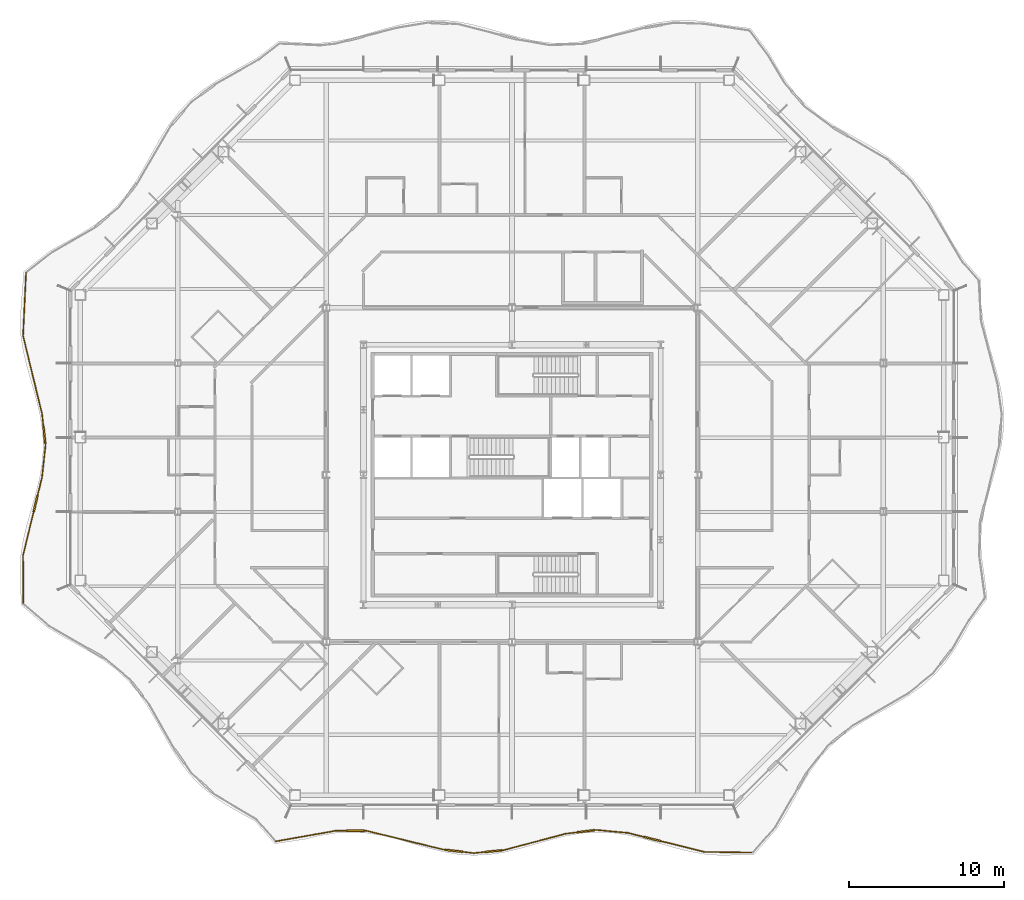
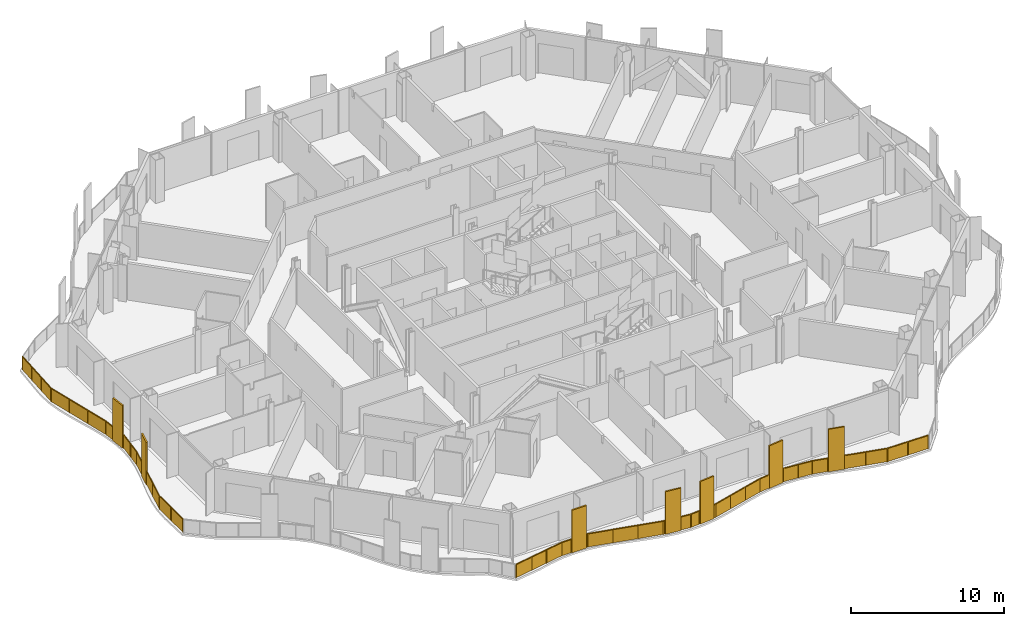
# One storey, part 16 of 22: 2 railings.
"""IFC4 building model written with IfcOpenShell, lengths in metres."""

from ifc_helpers import new_model, si_unit, direction, frame, origin, origin_2d, place, context, subcontext, project, spatial, polyline, rectangle, outline, extrude, material, type_object, element, save


model = new_model("IFC4")

# Units and contexts
model_context = context("Model", 3, precision=1e-05, world=origin(), true_north=direction((0.0, 1.0)))
body_context = subcontext(model_context, "Body", "Model", "MODEL_VIEW")
ifc_project = project(units=[si_unit("LENGTHUNIT", "METRE"), si_unit("AREAUNIT", "SQUARE_METRE"), si_unit("VOLUMEUNIT", "CUBIC_METRE"), si_unit("PLANEANGLEUNIT", "RADIAN"), si_unit("MASSUNIT", "GRAM", prefix="KILO")], contexts=[model_context])

# Site, building, storey
site_placement = place(None, origin())
site = spatial("IfcSite", under=ifc_project, at=site_placement, CompositionType="ELEMENT")
building_placement = place(site_placement, origin())
building = spatial("IfcBuilding", under=site, at=building_placement, Name="Cairn Pilgrim Tower", CompositionType="ELEMENT")
storey_placement = place(building_placement, frame((0.0, 0.0, 147.0)))
storey = spatial("IfcBuildingStorey", under=building, at=storey_placement, Name="L36", CompositionType="ELEMENT", Elevation=147.0)

# Railings
ifc_material = material(Name="Bronze anodised aluminium rail, posts and fin screens with laminated glass infill", Category="aluminium")
railing_type = type_object("IfcRailingType", Name="BALCONY GUARD WITH FIN SCREENS", PredefinedType="GUARDRAIL", material=ifc_material)
railing_1_placement = place(storey_placement, frame((-8.07470703125, -21.28759765625, 0.0)))
element("IfcRailing", 1, at=railing_1_placement, inside=storey, type_object=railing_type, Name="Balcony guard BGF-1 with fin screens", PredefinedType="GUARDRAIL", context=body_context, shape_type="SweptSolid", body=[
    extrude(rectangle(XDim=0.050048828125, YDim=0.050048828125, at=origin_2d()), frame((0.0, 0.0, 1.0751953125), z_axis=(0.984762755077, 0.173903180574, 0.0), x_axis=(-0.173903180574, 0.984762755077, 0.0)), (0.0, 0.0, 1.0), 3.89990234375),
    extrude(rectangle(XDim=1.10009765625, YDim=0.110107421875, at=origin_2d()), frame((5.158203125, 0.68212890625, 0.0), z_axis=(0.0, 0.0, 1.0), x_axis=(0.999995424206, 0.003025155567, 0.0)), (0.0, 0.0, 1.0), 3.39990234375),
    extrude(rectangle(XDim=0.050048828125, YDim=0.050048828125, at=origin_2d()), frame((3.840576171875, 0.67822265625, 1.0751953125), z_axis=(0.999995424206, 0.003025155567, 0.0), x_axis=(-0.003025155567, 0.999995424206, 0.0)), (0.0, 0.0, 1.0), 0.767578125),
    extrude(rectangle(XDim=0.050048828125, YDim=0.050048828125, at=origin_2d()), frame((5.708251953125, 0.683837890625, 1.0751953125), z_axis=(0.999995424206, 0.003025155567, 0.0), x_axis=(-0.003025155567, 0.999995424206, 0.0)), (0.0, 0.0, 1.0), 0.14990234375),
    extrude(rectangle(XDim=0.050048828125, YDim=0.050048828125, at=origin_2d()), frame((5.858154296875, 0.684326171875, 1.0751953125), z_axis=(0.971460072807, -0.237203134342, 0.0), x_axis=(0.237203134342, 0.971460072807, 0.0)), (0.0, 0.0, 1.0), 5.12060546875),
    extrude(rectangle(XDim=1.10009765625, YDim=0.110107421875, at=origin_2d()), frame((11.52783203125, -0.612060546875, 0.0), z_axis=(0.0, 0.0, 1.0), x_axis=(0.9931337117, -0.11698474552, 0.0)), (0.0, 0.0, 1.0), 3.39990234375),
    extrude(rectangle(XDim=0.050048828125, YDim=0.050048828125, at=origin_2d()), frame((10.83251953125, -0.5302734375, 1.0751953125), z_axis=(0.9931337117, -0.11698474552, 0.0), x_axis=(0.11698474552, 0.9931337117, 0.0)), (0.0, 0.0, 1.0), 0.14990234375),
    extrude(rectangle(XDim=0.050048828125, YDim=0.050048828125, at=origin_2d()), frame((12.073974609375, -0.676513671875, 1.0751953125), z_axis=(0.9931337117, -0.11698474552, 0.0), x_axis=(0.11698474552, 0.9931337117, 0.0)), (0.0, 0.0, 1.0), 0.72412109375),
    extrude(rectangle(XDim=1.10009765625, YDim=0.110107421875, at=origin_2d()), frame((14.054931640625, -0.634521484375, 0.0), z_axis=(0.0, 0.0, 1.0), x_axis=(0.994987934907, 0.099995046825, 0.0)), (0.0, 0.0, 1.0), 3.39990234375),
    extrude(rectangle(XDim=0.050048828125, YDim=0.050048828125, at=origin_2d()), frame((12.793212890625, -0.76123046875, 1.0751953125), z_axis=(0.994987934907, 0.099995046825, 0.0), x_axis=(-0.099995046825, 0.994987934907, 0.0)), (0.0, 0.0, 1.0), 0.718017578125),
    extrude(rectangle(XDim=0.050048828125, YDim=0.050048828125, at=origin_2d()), frame((14.60205078125, -0.579345703125, 1.0751953125), z_axis=(0.994987934907, 0.099995046825, 0.0), x_axis=(-0.099995046825, 0.994987934907, 0.0)), (0.0, 0.0, 1.0), 0.14990234375),
    extrude(rectangle(XDim=0.050048828125, YDim=0.050048828125, at=origin_2d()), frame((14.751220703125, -0.564453125, 1.0751953125), z_axis=(0.966560656008, 0.256438098295, 0.0), x_axis=(-0.256438098295, 0.966560656008, 0.0)), (0.0, 0.0, 1.0), 4.108154296875),
    extrude(rectangle(XDim=1.10009765625, YDim=0.110107421875, at=origin_2d()), frame((20.0400390625, 0.651611328125, 0.0), z_axis=(0.0, 0.0, 1.0), x_axis=(0.992476615257, 0.122434342275, 0.0)), (0.0, 0.0, 1.0), 3.39990234375),
    extrude(rectangle(XDim=0.050048828125, YDim=0.050048828125, at=origin_2d()), frame((18.721923828125, 0.489013671875, 1.0751953125), z_axis=(0.992476615257, 0.122434342275, 0.0), x_axis=(-0.122434342275, 0.992476615257, 0.0)), (0.0, 0.0, 1.0), 0.778076171875),
    extrude(rectangle(XDim=0.050048828125, YDim=0.050048828125, at=origin_2d()), frame((20.585693359375, 0.718994140625, 1.0751953125), z_axis=(0.992476615257, 0.122434342275, 0.0), x_axis=(-0.122434342275, 0.992476615257, 0.0)), (0.0, 0.0, 1.0), 0.14990234375),
    extrude(rectangle(XDim=0.050048828125, YDim=0.050048828125, at=origin_2d()), frame((20.734619140625, 0.7373046875, 1.0751953125), z_axis=(0.995558181608, -0.094148324643, 0.0), x_axis=(0.094148324643, 0.995558181608, 0.0)), (0.0, 0.0, 1.0), 2.022705078125),
    extrude(rectangle(XDim=1.10009765625, YDim=0.110107421875, at=origin_2d()), frame((24.33349609375, 0.15380859375, 0.0), z_axis=(0.0, 0.0, 1.0), x_axis=(0.970618425165, -0.240623923852, 0.0)), (0.0, 0.0, 1.0), 3.39990234375),
    extrude(rectangle(XDim=0.050048828125, YDim=0.050048828125, at=origin_2d()), frame((22.748291015625, 0.546875, 1.0751953125), z_axis=(0.970618425165, -0.240623923852, 0.0), x_axis=(0.240623923852, 0.970618425165, 0.0)), (0.0, 0.0, 1.0), 1.0830078125),
    extrude(rectangle(XDim=0.050048828125, YDim=0.050048828125, at=origin_2d()), frame((24.8671875, 0.021484375, 1.0751953125), z_axis=(0.970618425165, -0.240623923852, 0.0), x_axis=(0.240623923852, 0.970618425165, 0.0)), (0.0, 0.0, 1.0), 2.926513671875),
    extrude(rectangle(XDim=0.050048828125, YDim=0.050048828125, at=origin_2d()), frame((27.707763671875, -0.6826171875, 1.0751953125), z_axis=(0.999909531424, -0.013450983906, 0.0), x_axis=(0.013450983906, 0.999909531424, 0.0)), (0.0, 0.0, 1.0), 3.0673828125),
    extrude(rectangle(XDim=0.050048828125, YDim=0.050048828125, at=origin_2d()), origin(), (0.0, 0.0, 1.0), 1.050048828125),
    extrude(rectangle(XDim=0.050048828125, YDim=0.050048828125, at=origin_2d()), frame((1.2802734375, 0.22607421875, 0.0)), (0.0, 0.0, 1.0), 1.050048828125),
    extrude(rectangle(XDim=0.050048828125, YDim=0.050048828125, at=origin_2d()), frame((2.560302734375, 0.4521484375, 0.0)), (0.0, 0.0, 1.0), 1.050048828125),
    extrude(rectangle(XDim=0.050048828125, YDim=0.050048828125, at=origin_2d()), frame((3.840576171875, 0.67822265625, 0.0)), (0.0, 0.0, 1.0), 1.050048828125),
    extrude(rectangle(XDim=0.050048828125, YDim=0.050048828125, at=origin_2d()), frame((4.583251953125, 0.680419921875, 0.0)), (0.0, 0.0, 1.0), 1.050048828125),
    extrude(rectangle(XDim=0.050048828125, YDim=0.050048828125, at=origin_2d()), frame((5.733154296875, 0.683837890625, 0.0)), (0.0, 0.0, 1.0), 1.050048828125),
    extrude(rectangle(XDim=0.050048828125, YDim=0.050048828125, at=origin_2d()), frame((5.858154296875, 0.684326171875, 0.0)), (0.0, 0.0, 1.0), 1.050048828125),
    extrude(rectangle(XDim=0.050048828125, YDim=0.050048828125, at=origin_2d()), frame((7.516357421875, 0.279541015625, 0.0)), (0.0, 0.0, 1.0), 1.050048828125),
    extrude(rectangle(XDim=0.050048828125, YDim=0.050048828125, at=origin_2d()), frame((9.17431640625, -0.12548828125, 0.0)), (0.0, 0.0, 1.0), 1.050048828125),
    extrude(rectangle(XDim=0.050048828125, YDim=0.050048828125, at=origin_2d()), frame((10.83251953125, -0.5302734375, 0.0)), (0.0, 0.0, 1.0), 1.050048828125),
    extrude(rectangle(XDim=0.050048828125, YDim=0.050048828125, at=origin_2d()), frame((10.95654296875, -0.544921875, 0.0)), (0.0, 0.0, 1.0), 1.050048828125),
    extrude(rectangle(XDim=0.050048828125, YDim=0.050048828125, at=origin_2d()), frame((12.098876953125, -0.679443359375, 0.0)), (0.0, 0.0, 1.0), 1.050048828125),
    extrude(rectangle(XDim=0.050048828125, YDim=0.050048828125, at=origin_2d()), frame((12.793212890625, -0.76123046875, 0.0)), (0.0, 0.0, 1.0), 1.050048828125),
    extrude(rectangle(XDim=0.050048828125, YDim=0.050048828125, at=origin_2d()), frame((13.482666015625, -0.69189453125, 0.0)), (0.0, 0.0, 1.0), 1.050048828125),
    extrude(rectangle(XDim=0.050048828125, YDim=0.050048828125, at=origin_2d()), frame((14.626953125, -0.576904296875, 0.0)), (0.0, 0.0, 1.0), 1.050048828125),
    extrude(rectangle(XDim=0.050048828125, YDim=0.050048828125, at=origin_2d()), frame((14.751220703125, -0.564453125, 0.0)), (0.0, 0.0, 1.0), 1.050048828125),
    extrude(rectangle(XDim=0.050048828125, YDim=0.050048828125, at=origin_2d()), frame((16.07470703125, -0.21337890625, 0.0)), (0.0, 0.0, 1.0), 1.050048828125),
    extrude(rectangle(XDim=0.050048828125, YDim=0.050048828125, at=origin_2d()), frame((17.3984375, 0.137939453125, 0.0)), (0.0, 0.0, 1.0), 1.050048828125),
    extrude(rectangle(XDim=0.050048828125, YDim=0.050048828125, at=origin_2d()), frame((18.721923828125, 0.489013671875, 0.0)), (0.0, 0.0, 1.0), 1.050048828125),
    extrude(rectangle(XDim=0.050048828125, YDim=0.050048828125, at=origin_2d()), frame((19.46923828125, 0.581298828125, 0.0)), (0.0, 0.0, 1.0), 1.050048828125),
    extrude(rectangle(XDim=0.050048828125, YDim=0.050048828125, at=origin_2d()), frame((20.610595703125, 0.721923828125, 0.0)), (0.0, 0.0, 1.0), 1.050048828125),
    extrude(rectangle(XDim=0.050048828125, YDim=0.050048828125, at=origin_2d()), frame((20.734619140625, 0.7373046875, 0.0)), (0.0, 0.0, 1.0), 1.050048828125),
    extrude(rectangle(XDim=0.050048828125, YDim=0.050048828125, at=origin_2d()), frame((21.741455078125, 0.64208984375, 0.0)), (0.0, 0.0, 1.0), 1.050048828125),
    extrude(rectangle(XDim=0.050048828125, YDim=0.050048828125, at=origin_2d()), frame((22.748291015625, 0.546875, 0.0)), (0.0, 0.0, 1.0), 1.050048828125),
    extrude(rectangle(XDim=0.050048828125, YDim=0.050048828125, at=origin_2d()), frame((23.775390625, 0.292236328125, 0.0)), (0.0, 0.0, 1.0), 1.050048828125),
    extrude(rectangle(XDim=0.050048828125, YDim=0.050048828125, at=origin_2d()), frame((24.8916015625, 0.015625, 0.0)), (0.0, 0.0, 1.0), 1.050048828125),
    extrude(rectangle(XDim=0.050048828125, YDim=0.050048828125, at=origin_2d()), frame((26.299560546875, -0.33349609375, 0.0)), (0.0, 0.0, 1.0), 1.050048828125),
    extrude(rectangle(XDim=0.050048828125, YDim=0.050048828125, at=origin_2d()), frame((27.707763671875, -0.6826171875, 0.0)), (0.0, 0.0, 1.0), 1.050048828125),
    extrude(rectangle(XDim=0.050048828125, YDim=0.050048828125, at=origin_2d()), frame((29.2412109375, -0.703125, 0.0)), (0.0, 0.0, 1.0), 1.050048828125),
    extrude(rectangle(XDim=0.050048828125, YDim=0.050048828125, at=origin_2d()), frame((30.77490234375, -0.723876953125, 0.0)), (0.0, 0.0, 1.0), 1.050048828125),
    extrude(outline(polyline([(0.02490234375, 0.0), (1.27490234375, 0.0), (1.27490234375, 1.050048828125), (0.02490234375, 1.050048828125), (0.02490234375, 0.0)])), frame((-0.0009765625, 0.005859375, 0.0), z_axis=(0.173903180574, -0.984762755077, 0.0), x_axis=(0.984762755077, 0.173903180574, 0.0)), (0.0, 0.0, 1.0), 0.011962890625),
    extrude(outline(polyline([(0.02490234375, 0.0), (1.27490234375, 0.0), (1.27490234375, 1.050048828125), (0.02490234375, 1.050048828125), (0.02490234375, 0.0)])), frame((1.279052734375, 0.23193359375, 0.0), z_axis=(0.173903180574, -0.984762755077, 0.0), x_axis=(0.984762755077, 0.173903180574, 0.0)), (0.0, 0.0, 1.0), 0.011962890625),
    extrude(outline(polyline([(0.02490234375, 0.0), (1.27490234375, 0.0), (1.27490234375, 1.050048828125), (0.02490234375, 1.050048828125), (0.02490234375, 0.0)])), frame((2.559326171875, 0.4580078125, 0.0), z_axis=(0.173903180574, -0.984762755077, 0.0), x_axis=(0.984762755077, 0.173903180574, 0.0)), (0.0, 0.0, 1.0), 0.011962890625),
    extrude(outline(polyline([(0.02490234375, 0.0), (0.717529296875, 0.0), (0.717529296875, 1.050048828125), (0.02490234375, 1.050048828125), (0.02490234375, 0.0)])), frame((3.840576171875, 0.68408203125, 0.0), z_axis=(0.003025155567, -0.999995424206, 0.0), x_axis=(0.999995424206, 0.003025155567, 0.0)), (0.0, 0.0, 1.0), 0.011962890625),
    extrude(outline(polyline([(0.02490234375, 0.0), (0.099853515625, 0.0), (0.099853515625, 1.050048828125), (0.02490234375, 1.050048828125), (0.02490234375, 0.0)])), frame((5.733154296875, 0.68994140625, 0.0), z_axis=(0.003025155567, -0.999995424206, 0.0), x_axis=(0.999995424206, 0.003025155567, 0.0)), (0.0, 0.0, 1.0), 0.011962890625),
    extrude(outline(polyline([(0.02490234375, 0.0), (1.681884765625, 0.0), (1.681884765625, 1.050048828125), (0.02490234375, 1.050048828125), (0.02490234375, 0.0)])), frame((5.859619140625, 0.690185546875, 0.0), z_axis=(-0.237203134342, -0.971460072807, 0.0), x_axis=(0.971460072807, -0.237203134342, 0.0)), (0.0, 0.0, 1.0), 0.011962890625),
    extrude(outline(polyline([(0.02490234375, 0.0), (1.681884765625, 0.0), (1.681884765625, 1.050048828125), (0.02490234375, 1.050048828125), (0.02490234375, 0.0)])), frame((7.517578125, 0.28515625, 0.0), z_axis=(-0.237203134342, -0.971460072807, 0.0), x_axis=(0.971460072807, -0.237203134342, 0.0)), (0.0, 0.0, 1.0), 0.011962890625),
    extrude(outline(polyline([(0.02490234375, 0.0), (1.681884765625, 0.0), (1.681884765625, 1.050048828125), (0.02490234375, 1.050048828125), (0.02490234375, 0.0)])), frame((9.17578125, -0.11962890625, 0.0), z_axis=(-0.237203134342, -0.971460072807, 0.0), x_axis=(0.971460072807, -0.237203134342, 0.0)), (0.0, 0.0, 1.0), 0.011962890625),
    extrude(outline(polyline([(0.02490234375, 0.0), (0.099853515625, 0.0), (0.099853515625, 1.050048828125), (0.02490234375, 1.050048828125), (0.02490234375, 0.0)])), frame((10.833251953125, -0.5244140625, 0.0), z_axis=(-0.11698474552, -0.9931337117, 0.0), x_axis=(0.9931337117, -0.11698474552, 0.0)), (0.0, 0.0, 1.0), 0.011962890625),
    extrude(outline(polyline([(0.02490234375, 0.0), (0.674072265625, 0.0), (0.674072265625, 1.050048828125), (0.02490234375, 1.050048828125), (0.02490234375, 0.0)])), frame((12.099609375, -0.673583984375, 0.0), z_axis=(-0.11698474552, -0.9931337117, 0.0), x_axis=(0.9931337117, -0.11698474552, 0.0)), (0.0, 0.0, 1.0), 0.011962890625),
    extrude(outline(polyline([(0.02490234375, 0.0), (0.66796875, 0.0), (0.66796875, 1.050048828125), (0.02490234375, 1.050048828125), (0.02490234375, 0.0)])), frame((12.792724609375, -0.75537109375, 0.0), z_axis=(0.099995046825, -0.994987934907, 0.0), x_axis=(0.994987934907, 0.099995046825, 0.0)), (0.0, 0.0, 1.0), 0.011962890625),
    extrude(outline(polyline([(0.02490234375, 0.0), (0.099853515625, 0.0), (0.099853515625, 1.050048828125), (0.02490234375, 1.050048828125), (0.02490234375, 0.0)])), frame((14.62646484375, -0.571044921875, 0.0), z_axis=(0.099995046825, -0.994987934907, 0.0), x_axis=(0.994987934907, 0.099995046825, 0.0)), (0.0, 0.0, 1.0), 0.011962890625),
    extrude(outline(polyline([(0.02490234375, 0.0), (1.34423828125, 0.0), (1.34423828125, 1.050048828125), (0.02490234375, 1.050048828125), (0.02490234375, 0.0)])), frame((14.749755859375, -0.55859375, 0.0), z_axis=(0.256438098295, -0.966560656008, 0.0), x_axis=(0.966560656008, 0.256438098295, 0.0)), (0.0, 0.0, 1.0), 0.011962890625),
    extrude(outline(polyline([(0.02490234375, 0.0), (1.34423828125, 0.0), (1.34423828125, 1.050048828125), (0.02490234375, 1.050048828125), (0.02490234375, 0.0)])), frame((16.0732421875, -0.20751953125, 0.0), z_axis=(0.256438098295, -0.966560656008, 0.0), x_axis=(0.966560656008, 0.256438098295, 0.0)), (0.0, 0.0, 1.0), 0.011962890625),
    extrude(outline(polyline([(0.02490234375, 0.0), (1.34423828125, 0.0), (1.34423828125, 1.050048828125), (0.02490234375, 1.050048828125), (0.02490234375, 0.0)])), frame((17.396728515625, 0.1435546875, 0.0), z_axis=(0.256438098295, -0.966560656008, 0.0), x_axis=(0.966560656008, 0.256438098295, 0.0)), (0.0, 0.0, 1.0), 0.011962890625),
    extrude(outline(polyline([(0.02490234375, 0.0), (0.72802734375, 0.0), (0.72802734375, 1.050048828125), (0.02490234375, 1.050048828125), (0.02490234375, 0.0)])), frame((18.72119140625, 0.494873046875, 0.0), z_axis=(0.122434342275, -0.992476615257, 0.0), x_axis=(0.992476615257, 0.122434342275, 0.0)), (0.0, 0.0, 1.0), 0.011962890625),
    extrude(outline(polyline([(0.02490234375, 0.0), (0.099853515625, 0.0), (0.099853515625, 1.050048828125), (0.02490234375, 1.050048828125), (0.02490234375, 0.0)])), frame((20.60986328125, 0.72802734375, 0.0), z_axis=(0.122434342275, -0.992476615257, 0.0), x_axis=(0.992476615257, 0.122434342275, 0.0)), (0.0, 0.0, 1.0), 0.011962890625),
    extrude(outline(polyline([(0.02490234375, 0.0), (0.986328125, 0.0), (0.986328125, 1.050048828125), (0.02490234375, 1.050048828125), (0.02490234375, 0.0)])), frame((20.735107421875, 0.7431640625, 0.0), z_axis=(-0.094148324643, -0.995558181608, 0.0), x_axis=(0.995558181608, -0.094148324643, 0.0)), (0.0, 0.0, 1.0), 0.011962890625),
    extrude(outline(polyline([(0.02490234375, 0.0), (0.986328125, 0.0), (0.986328125, 1.050048828125), (0.02490234375, 1.050048828125), (0.02490234375, 0.0)])), frame((21.741943359375, 0.64794921875, 0.0), z_axis=(-0.094148324643, -0.995558181608, 0.0), x_axis=(0.995558181608, -0.094148324643, 0.0)), (0.0, 0.0, 1.0), 0.011962890625),
    extrude(outline(polyline([(0.02490234375, 0.0), (1.032958984375, 0.0), (1.032958984375, 1.050048828125), (0.02490234375, 1.050048828125), (0.02490234375, 0.0)])), frame((22.749755859375, 0.552734375, 0.0), z_axis=(-0.240623923852, -0.970618425165, 0.0), x_axis=(0.970618425165, -0.240623923852, 0.0)), (0.0, 0.0, 1.0), 0.011962890625),
    extrude(outline(polyline([(0.02490234375, 0.0), (1.42578125, 0.0), (1.42578125, 1.050048828125), (0.02490234375, 1.050048828125), (0.02490234375, 0.0)])), frame((24.89306640625, 0.021240234375, 0.0), z_axis=(-0.240623923852, -0.970618425165, 0.0), x_axis=(0.970618425165, -0.240623923852, 0.0)), (0.0, 0.0, 1.0), 0.011962890625),
    extrude(outline(polyline([(0.02490234375, 0.0), (1.42578125, 0.0), (1.42578125, 1.050048828125), (0.02490234375, 1.050048828125), (0.02490234375, 0.0)])), frame((26.301025390625, -0.32763671875, 0.0), z_axis=(-0.240623923852, -0.970618425165, 0.0), x_axis=(0.970618425165, -0.240623923852, 0.0)), (0.0, 0.0, 1.0), 0.011962890625),
    extrude(outline(polyline([(0.02490234375, 0.0), (1.5087890625, 0.0), (1.5087890625, 1.050048828125), (0.02490234375, 1.050048828125), (0.02490234375, 0.0)])), frame((27.707763671875, -0.6767578125, 0.0), z_axis=(-0.013450983906, -0.999909531424, 0.0), x_axis=(0.999909531424, -0.013450983906, 0.0)), (0.0, 0.0, 1.0), 0.011962890625),
    extrude(outline(polyline([(0.02490234375, 0.0), (1.5087890625, 0.0), (1.5087890625, 1.050048828125), (0.02490234375, 1.050048828125), (0.02490234375, 0.0)])), frame((29.241455078125, -0.697265625, 0.0), z_axis=(-0.013450983906, -0.999909531424, 0.0), x_axis=(0.999909531424, -0.013450983906, 0.0)), (0.0, 0.0, 1.0), 0.011962890625),
])
railing_2_placement = place(storey_placement, frame((-24.211181640625, 15.467041015625, 0.0)))
element("IfcRailing", 2, at=railing_2_placement, inside=storey, type_object=railing_type, Name="Balcony guard BGF-7 with fin screens", PredefinedType="GUARDRAIL", context=body_context, shape_type="SweptSolid", body=[
    extrude(rectangle(XDim=0.050048828125, YDim=0.050048828125, at=origin_2d()), frame((0.0, 0.0, 1.0751953125), z_axis=(-0.046220277644, -0.998931271877, 0.0), x_axis=(0.998931271877, -0.046220277644, 0.0)), (0.0, 0.0, 1.0), 4.08837890625),
    extrude(rectangle(XDim=0.050048828125, YDim=0.050048828125, at=origin_2d()), frame((-0.18896484375, -4.083984375, 1.0751953125), z_axis=(0.235919239189, -0.971772665072, 0.0), x_axis=(0.971772665072, 0.235919239189, 0.0)), (0.0, 0.0, 1.0), 5.187744140625),
    extrude(rectangle(XDim=1.10009765625, YDim=0.110107421875, at=origin_2d()), frame((1.18505859375, -10.4765625, 0.0), z_axis=(0.0, 0.0, 1.0), x_axis=(0.110353467951, -0.993892404695, 0.0)), (0.0, 0.0, 1.0), 3.39990234375),
    extrude(rectangle(XDim=0.050048828125, YDim=0.050048828125, at=origin_2d()), frame((1.034912109375, -9.125244140625, 1.0751953125), z_axis=(0.110353467951, -0.993892404695, 0.0), x_axis=(0.993892404695, 0.110353467951, 0.0)), (0.0, 0.0, 1.0), 0.8095703125),
    extrude(rectangle(XDim=0.050048828125, YDim=0.050048828125, at=origin_2d()), frame((1.24560546875, -11.023193359375, 1.0751953125), z_axis=(0.110353467951, -0.993892404695, 0.0), x_axis=(0.993892404695, 0.110353467951, 0.0)), (0.0, 0.0, 1.0), 0.150146484375),
    extrude(rectangle(XDim=0.050048828125, YDim=0.050048828125, at=origin_2d()), frame((1.26220703125, -11.17236328125, 1.0751953125), z_axis=(-0.110119281333, -0.993918378882, 0.0), x_axis=(0.993918378882, -0.110119281333, 0.0)), (0.0, 0.0, 1.0), 2.0595703125),
    extrude(rectangle(XDim=1.10009765625, YDim=0.110107421875, at=origin_2d()), frame((0.62158203125, -14.923095703125, 0.0), z_axis=(0.0, 0.0, 1.0), x_axis=(-0.235978292587, -0.971758326657, 0.0)), (0.0, 0.0, 1.0), 3.39990234375),
    extrude(rectangle(XDim=0.050048828125, YDim=0.050048828125, at=origin_2d()), frame((1.035400390625, -13.219482421875, 1.0751953125), z_axis=(-0.235978292587, -0.971758326657, 0.0), x_axis=(0.971758326657, -0.235978292587, 0.0)), (0.0, 0.0, 1.0), 1.203125),
    extrude(rectangle(XDim=0.050048828125, YDim=0.050048828125, at=origin_2d()), frame((0.491943359375, -15.457763671875, 1.0751953125), z_axis=(-0.235978292587, -0.971758326657, 0.0), x_axis=(0.971758326657, -0.235978292587, 0.0)), (0.0, 0.0, 1.0), 2.88720703125),
    extrude(rectangle(XDim=0.050048828125, YDim=0.050048828125, at=origin_2d()), frame((-0.189453125, -18.263427734375, 1.0751953125), z_axis=(0.005849239909, -0.99998289305, 0.0), x_axis=(0.99998289305, 0.005849239909, 0.0)), (0.0, 0.0, 1.0), 3.088623046875),
    extrude(rectangle(XDim=0.050048828125, YDim=0.050048828125, at=origin_2d()), origin(), (0.0, 0.0, 1.0), 1.050048828125),
    extrude(rectangle(XDim=0.050048828125, YDim=0.050048828125, at=origin_2d()), frame((-0.06298828125, -1.361328125, 0.0)), (0.0, 0.0, 1.0), 1.050048828125),
    extrude(rectangle(XDim=0.050048828125, YDim=0.050048828125, at=origin_2d()), frame((-0.1259765625, -2.72265625, 0.0)), (0.0, 0.0, 1.0), 1.050048828125),
    extrude(rectangle(XDim=0.050048828125, YDim=0.050048828125, at=origin_2d()), frame((-0.18896484375, -4.083984375, 0.0)), (0.0, 0.0, 1.0), 1.050048828125),
    extrude(rectangle(XDim=0.050048828125, YDim=0.050048828125, at=origin_2d()), frame((0.218994140625, -5.764404296875, 0.0)), (0.0, 0.0, 1.0), 1.050048828125),
    extrude(rectangle(XDim=0.050048828125, YDim=0.050048828125, at=origin_2d()), frame((0.626953125, -7.44482421875, 0.0)), (0.0, 0.0, 1.0), 1.050048828125),
    extrude(rectangle(XDim=0.050048828125, YDim=0.050048828125, at=origin_2d()), frame((1.034912109375, -9.125244140625, 0.0)), (0.0, 0.0, 1.0), 1.050048828125),
    extrude(rectangle(XDim=0.050048828125, YDim=0.050048828125, at=origin_2d()), frame((1.12158203125, -9.905029296875, 0.0)), (0.0, 0.0, 1.0), 1.050048828125),
    extrude(rectangle(XDim=0.050048828125, YDim=0.050048828125, at=origin_2d()), frame((1.248291015625, -11.048095703125, 0.0)), (0.0, 0.0, 1.0), 1.050048828125),
    extrude(rectangle(XDim=0.050048828125, YDim=0.050048828125, at=origin_2d()), frame((1.26220703125, -11.17236328125, 0.0)), (0.0, 0.0, 1.0), 1.050048828125),
    extrude(rectangle(XDim=0.050048828125, YDim=0.050048828125, at=origin_2d()), frame((1.14892578125, -12.19580078125, 0.0)), (0.0, 0.0, 1.0), 1.050048828125),
    extrude(rectangle(XDim=0.050048828125, YDim=0.050048828125, at=origin_2d()), frame((1.035400390625, -13.219482421875, 0.0)), (0.0, 0.0, 1.0), 1.050048828125),
    extrude(rectangle(XDim=0.050048828125, YDim=0.050048828125, at=origin_2d()), frame((0.75732421875, -14.364501953125, 0.0)), (0.0, 0.0, 1.0), 1.050048828125),
    extrude(rectangle(XDim=0.050048828125, YDim=0.050048828125, at=origin_2d()), frame((0.486083984375, -15.48193359375, 0.0)), (0.0, 0.0, 1.0), 1.050048828125),
    extrude(rectangle(XDim=0.050048828125, YDim=0.050048828125, at=origin_2d()), frame((0.148193359375, -16.872802734375, 0.0)), (0.0, 0.0, 1.0), 1.050048828125),
    extrude(rectangle(XDim=0.050048828125, YDim=0.050048828125, at=origin_2d()), frame((-0.189453125, -18.263427734375, 0.0)), (0.0, 0.0, 1.0), 1.050048828125),
    extrude(rectangle(XDim=0.050048828125, YDim=0.050048828125, at=origin_2d()), frame((-0.180419921875, -19.8076171875, 0.0)), (0.0, 0.0, 1.0), 1.050048828125),
    extrude(rectangle(XDim=0.050048828125, YDim=0.050048828125, at=origin_2d()), frame((-0.17138671875, -21.35205078125, 0.0)), (0.0, 0.0, 1.0), 1.050048828125),
    extrude(outline(polyline([(0.02490234375, 0.0), (1.337646484375, 0.0), (1.337646484375, 1.050048828125), (0.02490234375, 1.050048828125), (0.02490234375, 0.0)])), frame((0.005859375, -0.000244140625, 0.0), z_axis=(-0.998931271877, 0.046220277644, 0.0), x_axis=(-0.046220277644, -0.998931271877, 0.0)), (0.0, 0.0, 1.0), 0.011962890625),
    extrude(outline(polyline([(0.02490234375, 0.0), (1.337646484375, 0.0), (1.337646484375, 1.050048828125), (0.02490234375, 1.050048828125), (0.02490234375, 0.0)])), frame((-0.05712890625, -1.361572265625, 0.0), z_axis=(-0.998931271877, 0.046220277644, 0.0), x_axis=(-0.046220277644, -0.998931271877, 0.0)), (0.0, 0.0, 1.0), 0.011962890625),
    extrude(outline(polyline([(0.02490234375, 0.0), (1.337646484375, 0.0), (1.337646484375, 1.050048828125), (0.02490234375, 1.050048828125), (0.02490234375, 0.0)])), frame((-0.1201171875, -2.722900390625, 0.0), z_axis=(-0.998931271877, 0.046220277644, 0.0), x_axis=(-0.046220277644, -0.998931271877, 0.0)), (0.0, 0.0, 1.0), 0.011962890625),
    extrude(outline(polyline([(0.02490234375, 0.0), (1.7041015625, 0.0), (1.7041015625, 1.050048828125), (0.02490234375, 1.050048828125), (0.02490234375, 0.0)])), frame((-0.18310546875, -4.08251953125, 0.0), z_axis=(-0.971772665072, -0.235919239189, 0.0), x_axis=(0.235919239189, -0.971772665072, 0.0)), (0.0, 0.0, 1.0), 0.011962890625),
    extrude(outline(polyline([(0.02490234375, 0.0), (1.7041015625, 0.0), (1.7041015625, 1.050048828125), (0.02490234375, 1.050048828125), (0.02490234375, 0.0)])), frame((0.224853515625, -5.762939453125, 0.0), z_axis=(-0.971772665072, -0.235919239189, 0.0), x_axis=(0.235919239189, -0.971772665072, 0.0)), (0.0, 0.0, 1.0), 0.011962890625),
    extrude(outline(polyline([(0.02490234375, 0.0), (1.7041015625, 0.0), (1.7041015625, 1.050048828125), (0.02490234375, 1.050048828125), (0.02490234375, 0.0)])), frame((0.6328125, -7.443359375, 0.0), z_axis=(-0.971772665072, -0.235919239189, 0.0), x_axis=(0.235919239189, -0.971772665072, 0.0)), (0.0, 0.0, 1.0), 0.011962890625),
    extrude(outline(polyline([(0.02490234375, 0.0), (0.759521484375, 0.0), (0.759521484375, 1.050048828125), (0.02490234375, 1.050048828125), (0.02490234375, 0.0)])), frame((1.040771484375, -9.12451171875, 0.0), z_axis=(-0.993892404695, -0.110353467951, 0.0), x_axis=(0.110353467951, -0.993892404695, 0.0)), (0.0, 0.0, 1.0), 0.011962890625),
    extrude(outline(polyline([(0.02490234375, 0.0), (0.10009765625, 0.0), (0.10009765625, 1.050048828125), (0.02490234375, 1.050048828125), (0.02490234375, 0.0)])), frame((1.25439453125, -11.04736328125, 0.0), z_axis=(-0.993892404695, -0.110353467951, 0.0), x_axis=(0.110353467951, -0.993892404695, 0.0)), (0.0, 0.0, 1.0), 0.011962890625),
    extrude(outline(polyline([(0.02490234375, 0.0), (1.0048828125, 0.0), (1.0048828125, 1.050048828125), (0.02490234375, 1.050048828125), (0.02490234375, 0.0)])), frame((1.26806640625, -11.173095703125, 0.0), z_axis=(-0.993918378882, 0.110119281333, 0.0), x_axis=(-0.110119281333, -0.993918378882, 0.0)), (0.0, 0.0, 1.0), 0.011962890625),
    extrude(outline(polyline([(0.02490234375, 0.0), (1.0048828125, 0.0), (1.0048828125, 1.050048828125), (0.02490234375, 1.050048828125), (0.02490234375, 0.0)])), frame((1.15478515625, -12.196533203125, 0.0), z_axis=(-0.993918378882, 0.110119281333, 0.0), x_axis=(-0.110119281333, -0.993918378882, 0.0)), (0.0, 0.0, 1.0), 0.011962890625),
    extrude(outline(polyline([(0.02490234375, 0.0), (1.153076171875, 0.0), (1.153076171875, 1.050048828125), (0.02490234375, 1.050048828125), (0.02490234375, 0.0)])), frame((1.041259765625, -13.220947265625, 0.0), z_axis=(-0.971758326657, 0.235978292587, 0.0), x_axis=(-0.235978292587, -0.971758326657, 0.0)), (0.0, 0.0, 1.0), 0.011962890625),
    extrude(outline(polyline([(0.02490234375, 0.0), (1.406005859375, 0.0), (1.406005859375, 1.050048828125), (0.02490234375, 1.050048828125), (0.02490234375, 0.0)])), frame((0.49169921875, -15.4833984375, 0.0), z_axis=(-0.971758326657, 0.235978292587, 0.0), x_axis=(-0.235978292587, -0.971758326657, 0.0)), (0.0, 0.0, 1.0), 0.011962890625),
    extrude(outline(polyline([(0.02490234375, 0.0), (1.406005859375, 0.0), (1.406005859375, 1.050048828125), (0.02490234375, 1.050048828125), (0.02490234375, 0.0)])), frame((0.154052734375, -16.8740234375, 0.0), z_axis=(-0.971758326657, 0.235978292587, 0.0), x_axis=(-0.235978292587, -0.971758326657, 0.0)), (0.0, 0.0, 1.0), 0.011962890625),
    extrude(outline(polyline([(0.02490234375, 0.0), (1.519287109375, 0.0), (1.519287109375, 1.050048828125), (0.02490234375, 1.050048828125), (0.02490234375, 0.0)])), frame((-0.18359375, -18.263427734375, 0.0), z_axis=(-0.99998289305, -0.005849239909, 0.0), x_axis=(0.005849239909, -0.99998289305, 0.0)), (0.0, 0.0, 1.0), 0.011962890625),
    extrude(outline(polyline([(0.02490234375, 0.0), (1.519287109375, 0.0), (1.519287109375, 1.050048828125), (0.02490234375, 1.050048828125), (0.02490234375, 0.0)])), frame((-0.174560546875, -19.8076171875, 0.0), z_axis=(-0.99998289305, -0.005849239909, 0.0), x_axis=(0.005849239909, -0.99998289305, 0.0)), (0.0, 0.0, 1.0), 0.011962890625),
])

save(model, "model.ifc")
